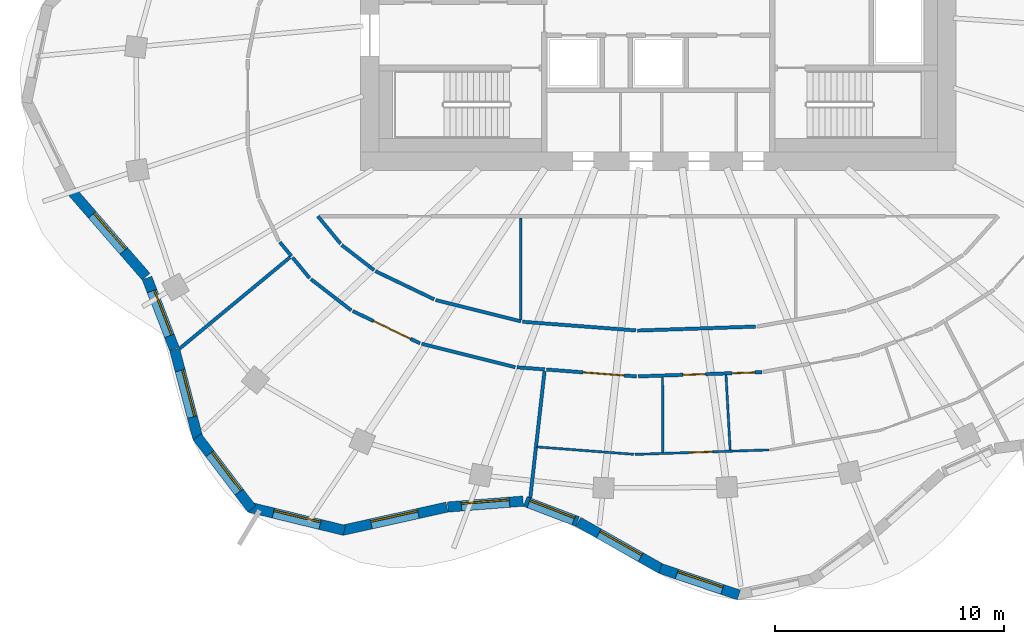
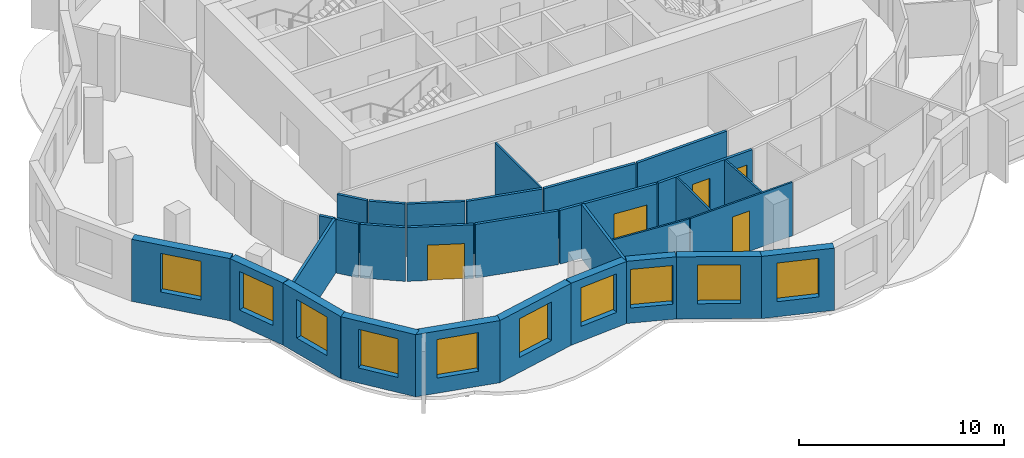
# One storey, part 3 of 9: 31 walls, 10 windows, 5 doors, 15 openings.
"""IFC4 building model written with IfcOpenShell, lengths in metres."""

import ifcopenshell
import ifcopenshell.guid

model = None  # the IFC model being written
_history = None  # IfcOwnerHistory: only IFC2X3 demands one
_inside = {}  # id of a spatial element -> (the spatial element, [elements in it])
_under = {}  # id of a project, library or spatial element -> (it, [spatial elements below it])
_declared = {}  # id of a project -> (the project, [libraries it declares])
_typed = {}  # id of a type object -> (the type object, [elements of that type])
_made_of = {}  # id of a material, layer set ... -> (it, [elements and type objects made of it])


def new_model(schema):
    """Start an empty IFC model of exactly this schema.

    Asked for "IFC4X3", IfcOpenShell would pick the latest addendum, in which some entities
    have other attributes; the version numbers below select the first issue.
    IFC2X3 requires an IfcOwnerHistory on every rooted entity: one is made here for all.
    """
    global model, _history
    if schema == "IFC4X3":
        model = ifcopenshell.file(schema_version=(4, 3, 0, 0))
    else:
        model = ifcopenshell.file(schema=schema)
    _inside.clear()
    _under.clear()
    _declared.clear()
    _typed.clear()
    _made_of.clear()
    _history = None
    if model.schema == "IFC2X3":
        org = make("IfcOrganization", Name="unknown")
        user = make(
            "IfcPersonAndOrganization",
            ThePerson=make("IfcPerson", FamilyName="unknown"),
            TheOrganization=org,
        )
        app = make(
            "IfcApplication",
            ApplicationDeveloper=org,
            Version="unknown",
            ApplicationFullName="unknown",
            ApplicationIdentifier="unknown",
        )
        _history = make(
            "IfcOwnerHistory",
            OwningUser=user,
            OwningApplication=app,
            ChangeAction="ADDED",
            CreationDate=0,
        )
    return model


def make(cls, **values):
    """One entity of the class cls with the attributes given. An attribute that is None is left unset."""
    return model.create_entity(
        cls, **{name: value for name, value in values.items() if value is not None}
    )


def rooted(cls, **values):
    """An entity with a GlobalId (a new one), such as an element, a storey or a relation."""
    return make(cls, GlobalId=ifcopenshell.guid.new(), OwnerHistory=_history, **values)


def si_unit(unit_type, name, prefix=None):
    """IfcSIUnit, for example si_unit("LENGTHUNIT", "METRE", prefix="MILLI")."""
    return make("IfcSIUnit", UnitType=unit_type, Prefix=prefix, Name=name)


def assignment(units):
    """IfcUnitAssignment: the units of a project."""
    return None if units is None else make("IfcUnitAssignment", Units=units)


def point(xyz):
    """IfcCartesianPoint."""
    return None if xyz is None else make("IfcCartesianPoint", Coordinates=xyz)


def direction(xyz):
    """IfcDirection."""
    return None if xyz is None else make("IfcDirection", DirectionRatios=xyz)


def frame(location, z_axis=None, x_axis=None):
    """IfcAxis2Placement3D, a coordinate frame: its origin and axes. An axis left out is left unset."""
    return make(
        "IfcAxis2Placement3D",
        Location=point(location),
        Axis=direction(z_axis),
        RefDirection=direction(x_axis),
    )


def frame_2d(location, x_axis=None):
    """IfcAxis2Placement2D, a coordinate frame in the plane: its origin and x axis."""
    return make(
        "IfcAxis2Placement2D", Location=point(location), RefDirection=direction(x_axis)
    )


def origin():
    """The frame at (0, 0, 0) with its axes left unset."""
    return frame((0.0, 0.0, 0.0))


def place(relative_to, where):
    """IfcLocalPlacement: puts the frame where relative to a parent placement (None: the world)."""
    return make(
        "IfcLocalPlacement", PlacementRelTo=relative_to, RelativePlacement=where
    )


def context(
    kind, dimensions, precision=None, world=None, true_north=None, identifier=None
):
    """IfcGeometricRepresentationContext, for example the 3D "Model" context."""
    return make(
        "IfcGeometricRepresentationContext",
        ContextIdentifier=identifier,
        ContextType=kind,
        CoordinateSpaceDimension=dimensions,
        Precision=precision,
        WorldCoordinateSystem=world,
        TrueNorth=true_north,
    )


def subcontext(parent, identifier, kind, view, scale=None):
    """IfcGeometricRepresentationSubContext, for example "Body" below "Model"."""
    return make(
        "IfcGeometricRepresentationSubContext",
        ContextIdentifier=identifier,
        ContextType=kind,
        ParentContext=parent,
        TargetScale=scale,
        TargetView=view,
    )


def project(units=None, contexts=None):
    """IfcProject with its units and contexts."""
    return rooted(
        "IfcProject",
        Name="project",
        RepresentationContexts=contexts,
        UnitsInContext=assignment(units),
    )


def spatial(cls, under=None, at=None, **own):
    """A site, building, storey or space (cls), placed at a placement, below another one or the project."""
    s = rooted(cls, ObjectPlacement=at, **own)
    if under is not None:
        _under.setdefault(under.id(), (under, []))[1].append(s)
    return s


def profile(cls, at=None, kind="AREA", **sizes):
    """A parametric profile (cls). Its sizes go by their IFC names, for example OverallWidth=200.0."""
    return make(cls, ProfileType=kind, Position=at, **sizes)


def rectangle(**sizes):
    """IfcRectangleProfileDef."""
    return profile("IfcRectangleProfileDef", **sizes)


def extrude(swept, where, along, depth):
    """IfcExtrudedAreaSolid: the profile swept, set in the frame where, extruded along a direction by depth."""
    return make(
        "IfcExtrudedAreaSolid",
        SweptArea=swept,
        Position=where,
        ExtrudedDirection=direction(along),
        Depth=depth,
    )


def shape(context_of_items, identifier, shape_type, items):
    """IfcShapeRepresentation: the items that make up one representation, for example the "Body"."""
    return make(
        "IfcShapeRepresentation",
        ContextOfItems=context_of_items,
        RepresentationIdentifier=identifier,
        RepresentationType=shape_type,
        Items=items,
    )


def material(Name=None, Category=None):
    """IfcMaterial."""
    return make("IfcMaterial", Name=Name, Category=Category)


def layer(
    of_material, thickness, ventilated=None, Name=None, Category=None, Priority=None
):
    """IfcMaterialLayer: one layer of a wall or slab, of a material (None: an air gap)."""
    return make(
        "IfcMaterialLayer",
        Material=of_material,
        LayerThickness=thickness,
        IsVentilated=ventilated,
        Name=Name,
        Category=Category,
        Priority=Priority,
    )


def layer_set(layers, Name=None):
    """IfcMaterialLayerSet."""
    return make("IfcMaterialLayerSet", MaterialLayers=layers, LayerSetName=Name)


def made_of(thing, what):
    """Note that an element or type object is made of a material, layer set ...; save() writes the relation."""
    if what is not None:
        _made_of.setdefault(what.id(), (what, []))[1].append(thing)
    return thing


def type_object(cls, material=None, **own):
    """A type object (cls), such as IfcWallType, which elements share."""
    return made_of(rooted(cls, **own), material)


def element(
    cls,
    number,
    at=None,
    inside=None,
    cuts=None,
    type_object=None,
    material=None,
    context=None,
    identifier="Body",
    shape_type=None,
    held_by="IfcProductDefinitionShape",
    body=None,
    shapes=None,
    **own,
):
    """One element of the class cls, such as IfcWall. Its Tag is "e" and its number.

    at: its placement. inside: the storey or other place that contains it. cuts: it is an
    opening in that element (IfcRelVoidsElement). A single representation is given by context,
    identifier, shape_type and body (its items); several are given by shapes. held_by: the class
    of the entity that holds the representations. save() writes the other relations.
    """
    e = rooted(cls, Tag="e%d" % number, ObjectPlacement=at, **own)
    if body is not None:
        shapes = [shape(context, identifier, shape_type, body)]
    if shapes is not None:
        e.Representation = make(held_by, Representations=shapes)
    if inside is not None:
        _inside.setdefault(inside.id(), (inside, []))[1].append(e)
    if cuts is not None:
        rooted(
            "IfcRelVoidsElement", RelatingBuildingElement=cuts, RelatedOpeningElement=e
        )
    if type_object is not None:
        _typed.setdefault(type_object.id(), (type_object, []))[1].append(e)
    return made_of(e, material)


def fill(opening, filler):
    """IfcRelFillsElement: the door or window that sits in an opening."""
    return rooted(
        "IfcRelFillsElement",
        RelatingOpeningElement=opening,
        RelatedBuildingElement=filler,
    )


def aggregate(whole, parts):
    """IfcRelAggregates: a whole, such as a stair, and the parts it consists of."""
    return rooted("IfcRelAggregates", RelatingObject=whole, RelatedObjects=parts)


def save(model, path):
    """Write the relations noted so far, then the file.

    IfcRelAggregates (storeys below a building ...), IfcRelContainedInSpatialStructure (elements
    in a storey), IfcRelDefinesByType, IfcRelAssociatesMaterial and IfcRelDeclares: one each for
    every whole, place, type object, material and project.
    """
    for whole, parts in _under.values():
        aggregate(whole, parts)
    for where, things in _inside.values():
        rooted(
            "IfcRelContainedInSpatialStructure",
            RelatedElements=things,
            RelatingStructure=where,
        )
    for kind, things in _typed.values():
        rooted("IfcRelDefinesByType", RelatedObjects=things, RelatingType=kind)
    for what, things in _made_of.values():
        rooted("IfcRelAssociatesMaterial", RelatedObjects=things, RelatingMaterial=what)
    for by, libraries in _declared.values():
        rooted("IfcRelDeclares", RelatingContext=by, RelatedDefinitions=libraries)
    model.write(path)


model = new_model("IFC4")

# Units and contexts
model_context = context("Model", 3, precision=1e-05, world=origin(), true_north=direction((0.0, 1.0)))
body_context = subcontext(model_context, "Body", "Model", "MODEL_VIEW")
ifc_project = project(units=[si_unit("LENGTHUNIT", "METRE"), si_unit("AREAUNIT", "SQUARE_METRE"), si_unit("VOLUMEUNIT", "CUBIC_METRE"), si_unit("PLANEANGLEUNIT", "RADIAN"), si_unit("MASSUNIT", "GRAM", prefix="KILO")], contexts=[model_context])

# Site, building, storey
site_placement = place(None, origin())
site = spatial("IfcSite", under=ifc_project, at=site_placement, CompositionType="ELEMENT")
building_placement = place(site_placement, origin())
building = spatial("IfcBuilding", under=site, at=building_placement, Name="Rubra Terraces Tower", CompositionType="ELEMENT")
storey_placement = place(building_placement, frame((0.0, 0.0, 284.39990234375)))
storey = spatial("IfcBuildingStorey", under=building, at=storey_placement, Name="L70", CompositionType="ELEMENT", Elevation=284.39990234375)

# Wall, opening, window
ifc_material_1 = material(Name="Brick masonry red-brown", Category="masonry")
ifc_layer_1 = layer(ifc_material_1, 0.449951171875)
ifc_layer_set_1 = layer_set([ifc_layer_1], Name="Brick masonry red-brown")
wall_type_1 = type_object("IfcWallType", Name="Brick facade wall 450", PredefinedType="SOLIDWALL", material=ifc_layer_set_1)
wall_1_placement = place(storey_placement, frame((-25.690673828125, -3.815185546875, 0.0), z_axis=(0.0, 0.0, 1.0), x_axis=(0.656552883353, -0.754279995334, 0.0)))
wall_1 = element("IfcWall", 1, at=wall_1_placement, inside=storey, type_object=wall_type_1, Name="Facade wall L70 bay 22", PredefinedType="SOLIDWALL", context=body_context, shape_type="SweptSolid", body=[
    extrude(rectangle(XDim=5.0712890625, YDim=0.449951171875, at=frame_2d((2.53564453125, 0.0))), origin(), (0.0, 0.0, 1.0), 3.7001953125),
])
opening_1_placement = place(wall_1_placement, frame((1.485595703125, 0.0, 0.89990234375)))
opening_1 = element("IfcOpeningElement", 2, at=opening_1_placement, cuts=wall_1, Name="Opening W1B", PredefinedType="OPENING", context=body_context, shape_type="SweptSolid", body=[
    extrude(rectangle(XDim=2.10009765625, YDim=2.300048828125, at=frame_2d((1.050048828125, 1.14990234375))), frame((0.0, 0.23486328125, 0.0), z_axis=(0.0, -1.0, 0.0), x_axis=(1.0, 0.0, 0.0)), (0.0, 0.0, 1.0), 0.469970703125),
])
ifc_material_2 = material(Name="Clear glass in aluminium frame", Category="aluminium")
window_type = type_object("IfcWindowType", Name="Fixed deep-set window tall storey 2100 x 2300", PartitioningType="SINGLE_PANEL", PredefinedType="WINDOW", material=ifc_material_2)
window_1_placement = place(opening_1_placement, origin())
window_1 = element("IfcWindow", 3, at=window_1_placement, inside=storey, type_object=window_type, Name="Window L70 bay 22", OverallHeight=2.300048828125, OverallWidth=2.10009765625, PartitioningType="SINGLE_PANEL", PredefinedType="WINDOW", context=body_context, shape_type="SweptSolid", body=[
    extrude(rectangle(XDim=2.10009765625, YDim=2.300048828125, at=frame_2d((1.050048828125, 1.14990234375))), frame((0.0, 0.135009765625, 0.0), z_axis=(0.0, -1.0, 0.0), x_axis=(1.0, 0.0, 0.0)), (0.0, 0.0, 1.0), 0.06005859375),
])
fill(opening_1, window_1)

wall_2_placement = place(storey_placement, frame((-22.323486328125, -7.70068359375, 0.0), z_axis=(0.0, 0.0, 1.0), x_axis=(0.361550075906, -0.932352692178, 0.0)))
wall_2 = element("IfcWall", 4, at=wall_2_placement, inside=storey, type_object=wall_type_1, Name="Facade wall L70 bay 23", PredefinedType="SOLIDWALL", context=body_context, shape_type="SweptSolid", body=[
    extrude(rectangle(XDim=3.3134765625, YDim=0.449951171875, at=frame_2d((1.65673828125, 0.0))), origin(), (0.0, 0.0, 1.0), 3.7001953125),
])
opening_2_placement = place(wall_2_placement, frame((0.606689453125, 0.0, 0.89990234375)))
opening_2 = element("IfcOpeningElement", 5, at=opening_2_placement, cuts=wall_2, Name="Opening W1B", PredefinedType="OPENING", context=body_context, shape_type="SweptSolid", body=[
    extrude(rectangle(XDim=2.10009765625, YDim=2.300048828125, at=frame_2d((1.050048828125, 1.14990234375))), frame((0.0, 0.23486328125, 0.0), z_axis=(0.0, -1.0, 0.0), x_axis=(1.0, 0.0, 0.0)), (0.0, 0.0, 1.0), 0.469970703125),
])
window_2_placement = place(opening_2_placement, origin())
window_2 = element("IfcWindow", 6, at=window_2_placement, inside=storey, type_object=window_type, Name="Window L70 bay 23", OverallHeight=2.300048828125, OverallWidth=2.10009765625, PartitioningType="SINGLE_PANEL", PredefinedType="WINDOW", context=body_context, shape_type="SweptSolid", body=[
    extrude(rectangle(XDim=2.10009765625, YDim=2.300048828125, at=frame_2d((1.050048828125, 1.14990234375))), frame((0.0, 0.135009765625, 0.0), z_axis=(0.0, -1.0, 0.0), x_axis=(1.0, 0.0, 0.0)), (0.0, 0.0, 1.0), 0.06005859375),
])
fill(opening_2, window_2)

wall_3_placement = place(storey_placement, frame((-21.11669921875, -10.8154296875, 0.0), z_axis=(0.0, 0.0, 1.0), x_axis=(0.253065392985, -0.967449175344, 0.0)))
wall_3 = element("IfcWall", 7, at=wall_3_placement, inside=storey, type_object=wall_type_1, Name="Facade wall L70 bay 24", PredefinedType="SOLIDWALL", context=body_context, shape_type="SweptSolid", body=[
    extrude(rectangle(XDim=4.01513671875, YDim=0.449951171875, at=frame_2d((2.007568359375, 0.0))), origin(), (0.0, 0.0, 1.0), 3.7001953125),
])
opening_3_placement = place(wall_3_placement, frame((0.95751953125, 0.0, 0.89990234375)))
opening_3 = element("IfcOpeningElement", 8, at=opening_3_placement, cuts=wall_3, Name="Opening W1B", PredefinedType="OPENING", context=body_context, shape_type="SweptSolid", body=[
    extrude(rectangle(XDim=2.10009765625, YDim=2.300048828125, at=frame_2d((1.050048828125, 1.14990234375))), frame((0.0, 0.23486328125, 0.0), z_axis=(0.0, -1.0, 0.0), x_axis=(1.0, 0.0, 0.0)), (0.0, 0.0, 1.0), 0.469970703125),
])
window_3_placement = place(opening_3_placement, origin())
window_3 = element("IfcWindow", 9, at=window_3_placement, inside=storey, type_object=window_type, Name="Window L70 bay 24", OverallHeight=2.300048828125, OverallWidth=2.10009765625, PartitioningType="SINGLE_PANEL", PredefinedType="WINDOW", context=body_context, shape_type="SweptSolid", body=[
    extrude(rectangle(XDim=2.10009765625, YDim=2.300048828125, at=frame_2d((1.050048828125, 1.14990234375))), frame((0.0, 0.135009765625, 0.0), z_axis=(0.0, -1.0, 0.0), x_axis=(1.0, 0.0, 0.0)), (0.0, 0.0, 1.0), 0.06005859375),
])
fill(opening_3, window_3)

wall_4_placement = place(storey_placement, frame((-20.1376953125, -14.6259765625, 0.0), z_axis=(0.0, 0.0, 1.0), x_axis=(0.604591324894, -0.796535830872, 0.0)))
wall_4 = element("IfcWall", 10, at=wall_4_placement, inside=storey, type_object=wall_type_1, Name="Facade wall L70 bay 25", PredefinedType="SOLIDWALL", context=body_context, shape_type="SweptSolid", body=[
    extrude(rectangle(XDim=3.964599609375, YDim=0.449951171875, at=frame_2d((1.982421875, 0.0))), origin(), (0.0, 0.0, 1.0), 3.7001953125),
])
opening_4_placement = place(wall_4_placement, frame((0.932373046875, 0.0, 0.89990234375)))
opening_4 = element("IfcOpeningElement", 11, at=opening_4_placement, cuts=wall_4, Name="Opening W1B", PredefinedType="OPENING", context=body_context, shape_type="SweptSolid", body=[
    extrude(rectangle(XDim=2.10009765625, YDim=2.300048828125, at=frame_2d((1.050048828125, 1.14990234375))), frame((0.0, 0.23486328125, 0.0), z_axis=(0.0, -1.0, 0.0), x_axis=(1.0, 0.0, 0.0)), (0.0, 0.0, 1.0), 0.469970703125),
])
window_4_placement = place(opening_4_placement, origin())
window_4 = element("IfcWindow", 12, at=window_4_placement, inside=storey, type_object=window_type, Name="Window L70 bay 25", OverallHeight=2.300048828125, OverallWidth=2.10009765625, PartitioningType="SINGLE_PANEL", PredefinedType="WINDOW", context=body_context, shape_type="SweptSolid", body=[
    extrude(rectangle(XDim=2.10009765625, YDim=2.300048828125, at=frame_2d((1.050048828125, 1.14990234375))), frame((0.0, 0.135009765625, 0.0), z_axis=(0.0, -1.0, 0.0), x_axis=(1.0, 0.0, 0.0)), (0.0, 0.0, 1.0), 0.06005859375),
])
fill(opening_4, window_4)

wall_5_placement = place(storey_placement, frame((-17.86669921875, -17.701416015625, 0.0), z_axis=(0.0, 0.0, 1.0), x_axis=(0.971546885012, -0.236847314156, 0.0)))
wall_5 = element("IfcWall", 13, at=wall_5_placement, inside=storey, type_object=wall_type_1, Name="Facade wall L70 bay 26", PredefinedType="SOLIDWALL", context=body_context, shape_type="SweptSolid", body=[
    extrude(rectangle(XDim=4.284912109375, YDim=0.449951171875, at=frame_2d((2.142578125, 0.0))), origin(), (0.0, 0.0, 1.0), 3.7001953125),
])
opening_5_placement = place(wall_5_placement, frame((1.092529296875, 0.0, 0.89990234375)))
opening_5 = element("IfcOpeningElement", 14, at=opening_5_placement, cuts=wall_5, Name="Opening W1B", PredefinedType="OPENING", context=body_context, shape_type="SweptSolid", body=[
    extrude(rectangle(XDim=2.10009765625, YDim=2.300048828125, at=frame_2d((1.050048828125, 1.14990234375))), frame((0.0, 0.23486328125, 0.0), z_axis=(0.0, -1.0, 0.0), x_axis=(1.0, 0.0, 0.0)), (0.0, 0.0, 1.0), 0.469970703125),
])
window_5_placement = place(opening_5_placement, origin())
window_5 = element("IfcWindow", 15, at=window_5_placement, inside=storey, type_object=window_type, Name="Window L70 bay 26", OverallHeight=2.300048828125, OverallWidth=2.10009765625, PartitioningType="SINGLE_PANEL", PredefinedType="WINDOW", context=body_context, shape_type="SweptSolid", body=[
    extrude(rectangle(XDim=2.10009765625, YDim=2.300048828125, at=frame_2d((1.050048828125, 1.14990234375))), frame((0.0, 0.135009765625, 0.0), z_axis=(0.0, -1.0, 0.0), x_axis=(1.0, 0.0, 0.0)), (0.0, 0.0, 1.0), 0.06005859375),
])
fill(opening_5, window_5)

wall_6_placement = place(storey_placement, frame((-13.802001953125, -18.714599609375, 0.0), z_axis=(0.0, 0.0, 1.0), x_axis=(0.976380129166, 0.216059814331, 0.0)))
wall_6 = element("IfcWall", 16, at=wall_6_placement, inside=storey, type_object=wall_type_1, Name="Facade wall L70 bay 27", PredefinedType="SOLIDWALL", context=body_context, shape_type="SweptSolid", body=[
    extrude(rectangle(XDim=4.691650390625, YDim=0.449951171875, at=frame_2d((2.345703125, 0.0))), origin(), (0.0, 0.0, 1.0), 3.7001953125),
])
opening_6_placement = place(wall_6_placement, frame((1.295654296875, 0.0, 0.89990234375)))
opening_6 = element("IfcOpeningElement", 17, at=opening_6_placement, cuts=wall_6, Name="Opening W1B", PredefinedType="OPENING", context=body_context, shape_type="SweptSolid", body=[
    extrude(rectangle(XDim=2.10009765625, YDim=2.300048828125, at=frame_2d((1.050048828125, 1.14990234375))), frame((0.0, 0.23486328125, 0.0), z_axis=(0.0, -1.0, 0.0), x_axis=(1.0, 0.0, 0.0)), (0.0, 0.0, 1.0), 0.469970703125),
])
window_6_placement = place(opening_6_placement, origin())
window_6 = element("IfcWindow", 18, at=window_6_placement, inside=storey, type_object=window_type, Name="Window L70 bay 27", OverallHeight=2.300048828125, OverallWidth=2.10009765625, PartitioningType="SINGLE_PANEL", PredefinedType="WINDOW", context=body_context, shape_type="SweptSolid", body=[
    extrude(rectangle(XDim=2.10009765625, YDim=2.300048828125, at=frame_2d((1.050048828125, 1.14990234375))), frame((0.0, 0.135009765625, 0.0), z_axis=(0.0, -1.0, 0.0), x_axis=(1.0, 0.0, 0.0)), (0.0, 0.0, 1.0), 0.06005859375),
])
fill(opening_6, window_6)

wall_7_placement = place(storey_placement, frame((-9.188232421875, -17.69677734375, 0.0), z_axis=(0.0, 0.0, 1.0), x_axis=(0.996964028691, 0.077863505548, 0.0)))
wall_7 = element("IfcWall", 19, at=wall_7_placement, inside=storey, type_object=wall_type_1, Name="Facade wall L70 bay 28", PredefinedType="SOLIDWALL", context=body_context, shape_type="SweptSolid", body=[
    extrude(rectangle(XDim=3.29541015625, YDim=0.449951171875, at=frame_2d((1.647705078125, 0.0))), origin(), (0.0, 0.0, 1.0), 3.7001953125),
])
opening_7_placement = place(wall_7_placement, frame((0.59765625, 0.0, 0.89990234375)))
opening_7 = element("IfcOpeningElement", 20, at=opening_7_placement, cuts=wall_7, Name="Opening W1B", PredefinedType="OPENING", context=body_context, shape_type="SweptSolid", body=[
    extrude(rectangle(XDim=2.10009765625, YDim=2.300048828125, at=frame_2d((1.050048828125, 1.14990234375))), frame((0.0, 0.23486328125, 0.0), z_axis=(0.0, -1.0, 0.0), x_axis=(1.0, 0.0, 0.0)), (0.0, 0.0, 1.0), 0.469970703125),
])
window_7_placement = place(opening_7_placement, origin())
window_7 = element("IfcWindow", 21, at=window_7_placement, inside=storey, type_object=window_type, Name="Window L70 bay 28", OverallHeight=2.300048828125, OverallWidth=2.10009765625, PartitioningType="SINGLE_PANEL", PredefinedType="WINDOW", context=body_context, shape_type="SweptSolid", body=[
    extrude(rectangle(XDim=2.10009765625, YDim=2.300048828125, at=frame_2d((1.050048828125, 1.14990234375))), frame((0.0, 0.135009765625, 0.0), z_axis=(0.0, -1.0, 0.0), x_axis=(1.0, 0.0, 0.0)), (0.0, 0.0, 1.0), 0.06005859375),
])
fill(opening_7, window_7)

wall_8_placement = place(storey_placement, frame((-5.810546875, -17.45458984375, 0.0), z_axis=(0.0, 0.0, 1.0), x_axis=(0.934122271306, -0.35695319336, 0.0)))
wall_8 = element("IfcWall", 22, at=wall_8_placement, inside=storey, type_object=wall_type_1, Name="Facade wall L70 bay 29", PredefinedType="SOLIDWALL", context=body_context, shape_type="SweptSolid", body=[
    extrude(rectangle(XDim=2.447998046875, YDim=0.449951171875, at=frame_2d((1.22412109375, 0.0))), origin(), (0.0, 0.0, 1.0), 3.7001953125),
])
opening_8_placement = place(wall_8_placement, frame((0.174072265625, 0.0, 0.89990234375)))
opening_8 = element("IfcOpeningElement", 23, at=opening_8_placement, cuts=wall_8, Name="Opening W1B", PredefinedType="OPENING", context=body_context, shape_type="SweptSolid", body=[
    extrude(rectangle(XDim=2.10009765625, YDim=2.300048828125, at=frame_2d((1.050048828125, 1.14990234375))), frame((0.0, 0.23486328125, 0.0), z_axis=(0.0, -1.0, 0.0), x_axis=(1.0, 0.0, 0.0)), (0.0, 0.0, 1.0), 0.469970703125),
])
window_8_placement = place(opening_8_placement, origin())
window_8 = element("IfcWindow", 24, at=window_8_placement, inside=storey, type_object=window_type, Name="Window L70 bay 29", OverallHeight=2.300048828125, OverallWidth=2.10009765625, PartitioningType="SINGLE_PANEL", PredefinedType="WINDOW", context=body_context, shape_type="SweptSolid", body=[
    extrude(rectangle(XDim=2.10009765625, YDim=2.300048828125, at=frame_2d((1.050048828125, 1.14990234375))), frame((0.0, 0.135009765625, 0.0), z_axis=(0.0, -1.0, 0.0), x_axis=(1.0, 0.0, 0.0)), (0.0, 0.0, 1.0), 0.06005859375),
])
fill(opening_8, window_8)

wall_9_placement = place(storey_placement, frame((-3.4931640625, -18.3427734375, 0.0), z_axis=(0.0, 0.0, 1.0), x_axis=(0.869825988853, -0.493358641473, 0.0)))
wall_9 = element("IfcWall", 25, at=wall_9_placement, inside=storey, type_object=wall_type_1, Name="Facade wall L70 bay 30", PredefinedType="SOLIDWALL", context=body_context, shape_type="SweptSolid", body=[
    extrude(rectangle(XDim=4.164794921875, YDim=0.449951171875, at=frame_2d((2.08251953125, 0.0))), origin(), (0.0, 0.0, 1.0), 3.7001953125),
])
opening_9_placement = place(wall_9_placement, frame((1.032470703125, 0.0, 0.89990234375)))
opening_9 = element("IfcOpeningElement", 26, at=opening_9_placement, cuts=wall_9, Name="Opening W1B", PredefinedType="OPENING", context=body_context, shape_type="SweptSolid", body=[
    extrude(rectangle(XDim=2.10009765625, YDim=2.300048828125, at=frame_2d((1.050048828125, 1.14990234375))), frame((0.0, 0.23486328125, 0.0), z_axis=(0.0, -1.0, 0.0), x_axis=(1.0, 0.0, 0.0)), (0.0, 0.0, 1.0), 0.469970703125),
])
window_9_placement = place(opening_9_placement, origin())
window_9 = element("IfcWindow", 27, at=window_9_placement, inside=storey, type_object=window_type, Name="Window L70 bay 30", OverallHeight=2.300048828125, OverallWidth=2.10009765625, PartitioningType="SINGLE_PANEL", PredefinedType="WINDOW", context=body_context, shape_type="SweptSolid", body=[
    extrude(rectangle(XDim=2.10009765625, YDim=2.300048828125, at=frame_2d((1.050048828125, 1.14990234375))), frame((0.0, 0.135009765625, 0.0), z_axis=(0.0, -1.0, 0.0), x_axis=(1.0, 0.0, 0.0)), (0.0, 0.0, 1.0), 0.06005859375),
])
fill(opening_9, window_9)

wall_10_placement = place(storey_placement, frame((0.090576171875, -20.380126953125, 0.0), z_axis=(0.0, 0.0, 1.0), x_axis=(0.947304227221, -0.320335294791, 0.0)))
wall_10 = element("IfcWall", 28, at=wall_10_placement, inside=storey, type_object=wall_type_1, Name="Facade wall L70 bay 31", PredefinedType="SOLIDWALL", context=body_context, shape_type="SweptSolid", body=[
    extrude(rectangle(XDim=3.6171875, YDim=0.449951171875, at=frame_2d((1.80859375, 0.0))), origin(), (0.0, 0.0, 1.0), 3.7001953125),
])
opening_10_placement = place(wall_10_placement, frame((0.758544921875, 0.0, 0.89990234375)))
opening_10 = element("IfcOpeningElement", 29, at=opening_10_placement, cuts=wall_10, Name="Opening W1B", PredefinedType="OPENING", context=body_context, shape_type="SweptSolid", body=[
    extrude(rectangle(XDim=2.10009765625, YDim=2.300048828125, at=frame_2d((1.050048828125, 1.14990234375))), frame((0.0, 0.23486328125, 0.0), z_axis=(0.0, -1.0, 0.0), x_axis=(1.0, 0.0, 0.0)), (0.0, 0.0, 1.0), 0.469970703125),
])
window_10_placement = place(opening_10_placement, origin())
window_10 = element("IfcWindow", 30, at=window_10_placement, inside=storey, type_object=window_type, Name="Window L70 bay 31", OverallHeight=2.300048828125, OverallWidth=2.10009765625, PartitioningType="SINGLE_PANEL", PredefinedType="WINDOW", context=body_context, shape_type="SweptSolid", body=[
    extrude(rectangle(XDim=2.10009765625, YDim=2.300048828125, at=frame_2d((1.050048828125, 1.14990234375))), frame((0.0, 0.135009765625, 0.0), z_axis=(0.0, -1.0, 0.0), x_axis=(1.0, 0.0, 0.0)), (0.0, 0.0, 1.0), 0.06005859375),
])
fill(opening_10, window_10)

# Walls
ifc_material_3 = material(Name="Plasterboard on steel stud, mineral wool infill", Category="steel")
ifc_layer_2 = layer(ifc_material_3, 0.14990234375)
ifc_layer_set_2 = layer_set([ifc_layer_2], Name="Plasterboard on steel stud, mineral wool infill")
wall_type_2 = type_object("IfcWallType", Name="CORRIDOR PARTITION 150", PredefinedType="PARTITIONING", material=ifc_layer_set_2)
wall_11_placement = place(storey_placement, frame((-16.523193359375, -6.131591796875, 0.0), z_axis=(0.0, 0.0, 1.0), x_axis=(0.636698606768, -0.771112757085, 0.0)))
element("IfcWall", 31, at=wall_11_placement, inside=storey, type_object=wall_type_2, Name="PARTITION", PredefinedType="PARTITIONING", context=body_context, shape_type="SweptSolid", body=[
    extrude(rectangle(XDim=0.793701171875, YDim=0.14990234375, at=frame_2d((0.39697265625, 0.0))), origin(), (0.0, 0.0, 1.0), 3.197998046875),
])
wall_12_placement = place(storey_placement, frame((-15.97021484375, -6.801513671875, 0.0), z_axis=(0.0, 0.0, 1.0), x_axis=(0.636897609689, -0.770948399552, 0.0)))
element("IfcWall", 32, at=wall_12_placement, inside=storey, type_object=wall_type_2, Name="PARTITION", PredefinedType="PARTITIONING", context=body_context, shape_type="SweptSolid", body=[
    extrude(rectangle(XDim=1.171142578125, YDim=0.14990234375, at=frame_2d((0.58544921875, 0.0))), origin(), (0.0, 0.0, 1.0), 3.197998046875),
])
wall_13_placement = place(storey_placement, frame((-15.1650390625, -7.750244140625, 0.0), z_axis=(0.0, 0.0, 1.0), x_axis=(0.790917548929, -0.611922732701, 0.0)))
element("IfcWall", 33, at=wall_13_placement, inside=storey, type_object=wall_type_2, Name="PARTITION", PredefinedType="PARTITIONING", context=body_context, shape_type="SweptSolid", body=[
    extrude(rectangle(XDim=2.221923828125, YDim=0.14990234375, at=frame_2d((1.11083984375, 0.0))), origin(), (0.0, 0.0, 1.0), 3.197998046875),
])

# Wall, opening, door
wall_14_placement = place(storey_placement, frame((-13.340087890625, -9.142333984375, 0.0), z_axis=(0.0, 0.0, 1.0), x_axis=(0.901599124721, -0.432572558425, 0.0)))
wall_14 = element("IfcWall", 34, at=wall_14_placement, inside=storey, type_object=wall_type_2, Name="PARTITION", PredefinedType="PARTITIONING", context=body_context, shape_type="SweptSolid", body=[
    extrude(rectangle(XDim=3.2548828125, YDim=0.14990234375, at=frame_2d((1.62744140625, 0.0))), origin(), (0.0, 0.0, 1.0), 3.197998046875),
])
opening_11_placement = place(wall_14_placement, frame((1.0, 0.0, 0.0)))
opening_11 = element("IfcOpeningElement", 35, at=opening_11_placement, cuts=wall_14, Name="Opening 70-102", PredefinedType="OPENING", context=body_context, shape_type="SweptSolid", body=[
    extrude(rectangle(XDim=1.800048828125, YDim=2.10009765625, at=frame_2d((0.89990234375, 1.050048828125))), frame((0.0, 0.0849609375, 0.0), z_axis=(0.0, -1.0, 0.0), x_axis=(1.0, 0.0, 0.0)), (0.0, 0.0, 1.0), 0.169921875),
])
ifc_material_4 = material(Name="Painted timber door leaf, double", Category="wood")
door_type_1 = type_object("IfcDoorType", Name="ROOM DOUBLE DOOR 1800 X 2100", OperationType="DOUBLE_DOOR_SINGLE_SWING", PredefinedType="DOOR", material=ifc_material_4)
door_1_placement = place(opening_11_placement, origin())
door_1 = element("IfcDoor", 36, at=door_1_placement, inside=storey, type_object=door_type_1, Name="DOOR 70-102", OperationType="DOUBLE_DOOR_SINGLE_SWING", OverallHeight=2.10009765625, OverallWidth=1.800048828125, PredefinedType="DOOR", context=body_context, shape_type="SweptSolid", body=[
    extrude(rectangle(XDim=1.800048828125, YDim=2.10009765625, at=frame_2d((0.89990234375, 1.050048828125))), frame((0.0, 0.02490234375, 0.0), z_axis=(0.0, -1.0, 0.0), x_axis=(1.0, 0.0, 0.0)), (0.0, 0.0, 1.0), 0.050048828125),
])
fill(opening_11, door_1)

# Walls
wall_15_placement = place(storey_placement, frame((-10.332763671875, -10.568603515625, 0.0), z_axis=(0.0, 0.0, 1.0), x_axis=(0.970067398009, -0.242835836151, 0.0)))
element("IfcWall", 37, at=wall_15_placement, inside=storey, type_object=wall_type_2, Name="PARTITION", PredefinedType="PARTITIONING", context=body_context, shape_type="SweptSolid", body=[
    extrude(rectangle(XDim=4.20947265625, YDim=0.14990234375, at=frame_2d((2.104736328125, 0.0))), origin(), (0.0, 0.0, 1.0), 3.197998046875),
])
wall_16_placement = place(storey_placement, frame((-6.174560546875, -11.596435546875, 0.0), z_axis=(0.0, 0.0, 1.0), x_axis=(0.997106038867, -0.076023333621, 0.0)))
element("IfcWall", 38, at=wall_16_placement, inside=storey, type_object=wall_type_2, Name="PARTITION", PredefinedType="PARTITIONING", context=body_context, shape_type="SweptSolid", body=[
    extrude(rectangle(XDim=1.22021484375, YDim=0.14990234375, at=frame_2d((0.610107421875, 0.0))), origin(), (0.0, 0.0, 1.0), 3.197998046875),
])

# Wall, opening, door
wall_17_placement = place(storey_placement, frame((-4.8828125, -11.695068359375, 0.0), z_axis=(0.0, 0.0, 1.0), x_axis=(0.997096936577, -0.076142623207, 0.0)))
wall_17 = element("IfcWall", 39, at=wall_17_placement, inside=storey, type_object=wall_type_2, Name="PARTITION", PredefinedType="PARTITIONING", context=body_context, shape_type="SweptSolid", body=[
    extrude(rectangle(XDim=3.94384765625, YDim=0.14990234375, at=frame_2d((1.971923828125, 0.0))), origin(), (0.0, 0.0, 1.0), 3.197998046875),
])
opening_12_placement = place(wall_17_placement, frame((1.60400390625, 0.0, 0.0)))
opening_12 = element("IfcOpeningElement", 40, at=opening_12_placement, cuts=wall_17, Name="Opening 70-103", PredefinedType="OPENING", context=body_context, shape_type="SweptSolid", body=[
    extrude(rectangle(XDim=1.800048828125, YDim=2.10009765625, at=frame_2d((0.89990234375, 1.050048828125))), frame((0.0, 0.0849609375, 0.0), z_axis=(0.0, -1.0, 0.0), x_axis=(1.0, 0.0, 0.0)), (0.0, 0.0, 1.0), 0.169921875),
])
door_2_placement = place(opening_12_placement, origin())
door_2 = element("IfcDoor", 41, at=door_2_placement, inside=storey, type_object=door_type_1, Name="DOOR 70-103", OperationType="DOUBLE_DOOR_SINGLE_SWING", OverallHeight=2.10009765625, OverallWidth=1.800048828125, PredefinedType="DOOR", context=body_context, shape_type="SweptSolid", body=[
    extrude(rectangle(XDim=1.800048828125, YDim=2.10009765625, at=frame_2d((0.89990234375, 1.050048828125))), frame((0.0, 0.02490234375, 0.0), z_axis=(0.0, -1.0, 0.0), x_axis=(1.0, 0.0, 0.0)), (0.0, 0.0, 1.0), 0.050048828125),
])
fill(opening_12, door_2)

# Wall, openings, doors
wall_18_placement = place(storey_placement, frame((-0.87548828125, -11.992919921875, 0.0), z_axis=(0.0, 0.0, 1.0), x_axis=(0.999436745295, 0.033558786542, 0.0)))
wall_18 = element("IfcWall", 42, at=wall_18_placement, inside=storey, type_object=wall_type_2, Name="PARTITION", PredefinedType="PARTITIONING", context=body_context, shape_type="SweptSolid", body=[
    extrude(rectangle(XDim=5.39794921875, YDim=0.14990234375, at=frame_2d((2.698974609375, 0.0))), origin(), (0.0, 0.0, 1.0), 3.197998046875),
])
opening_13_placement = place(wall_18_placement, frame((1.947021484375, 0.0, 0.0)))
opening_13 = element("IfcOpeningElement", 43, at=opening_13_placement, cuts=wall_18, Name="Opening 70-104", PredefinedType="OPENING", context=body_context, shape_type="SweptSolid", body=[
    extrude(rectangle(XDim=1.0, YDim=2.39990234375, at=frame_2d((0.5, 1.199951171875))), frame((0.0, 0.0849609375, 0.0), z_axis=(0.0, -1.0, 0.0), x_axis=(1.0, 0.0, 0.0)), (0.0, 0.0, 1.0), 0.169921875),
])
opening_14_placement = place(wall_18_placement, frame((4.097900390625, 0.0, 0.0)))
opening_14 = element("IfcOpeningElement", 44, at=opening_14_placement, cuts=wall_18, Name="Opening 70-105", PredefinedType="OPENING", context=body_context, shape_type="SweptSolid", body=[
    extrude(rectangle(XDim=1.0, YDim=2.39990234375, at=frame_2d((0.5, 1.199951171875))), frame((0.0, 0.0849609375, 0.0), z_axis=(0.0, -1.0, 0.0), x_axis=(1.0, 0.0, 0.0)), (0.0, 0.0, 1.0), 0.169921875),
])
ifc_material_5 = material(Name="Glazed aluminium meeting door leaf", Category="aluminium")
door_type_2 = type_object("IfcDoorType", Name="MEETING ROOM GLAZED DOOR 1000 X 2400", OperationType="SINGLE_SWING_LEFT", PredefinedType="DOOR", material=ifc_material_5)
door_3_placement = place(opening_13_placement, origin())
door_3 = element("IfcDoor", 45, at=door_3_placement, inside=storey, type_object=door_type_2, Name="DOOR 70-104", OperationType="SINGLE_SWING_RIGHT", OverallHeight=2.39990234375, OverallWidth=1.0, PredefinedType="DOOR", context=body_context, shape_type="SweptSolid", body=[
    extrude(rectangle(XDim=1.0, YDim=2.39990234375, at=frame_2d((0.5, 1.199951171875))), frame((0.0, 0.02490234375, 0.0), z_axis=(0.0, -1.0, 0.0), x_axis=(1.0, 0.0, 0.0)), (0.0, 0.0, 1.0), 0.050048828125),
])
fill(opening_13, door_3)
door_4_placement = place(opening_14_placement, origin())
door_4 = element("IfcDoor", 46, at=door_4_placement, inside=storey, type_object=door_type_2, Name="DOOR 70-105", OperationType="SINGLE_SWING_RIGHT", OverallHeight=2.39990234375, OverallWidth=1.0, PredefinedType="DOOR", context=body_context, shape_type="SweptSolid", body=[
    extrude(rectangle(XDim=1.0, YDim=2.39990234375, at=frame_2d((0.5, 1.199951171875))), frame((0.0, 0.02490234375, 0.0), z_axis=(0.0, -1.0, 0.0), x_axis=(1.0, 0.0, 0.0)), (0.0, 0.0, 1.0), 0.050048828125),
])
fill(opening_14, door_4)

# Walls
wall_19_placement = place(storey_placement, frame((4.235595703125, -9.820068359375, 0.0), z_axis=(0.0, 0.0, 1.0), x_axis=(-0.999435760561, -0.033588100749, 0.0)))
element("IfcWall", 47, at=wall_19_placement, inside=storey, type_object=wall_type_2, Name="PARTITION", PredefinedType="PARTITIONING", context=body_context, shape_type="SweptSolid", body=[
    extrude(rectangle(XDim=5.146240234375, YDim=0.14990234375, at=frame_2d((2.5732421875, 0.0))), origin(), (0.0, 0.0, 1.0), 3.197998046875),
])
wall_20_placement = place(storey_placement, frame((-0.982421875, -9.987060546875, 0.0), z_axis=(0.0, 0.0, 1.0), x_axis=(-0.997096607341, 0.07614693447, 0.0)))
element("IfcWall", 48, at=wall_20_placement, inside=storey, type_object=wall_type_2, Name="PARTITION", PredefinedType="PARTITIONING", context=body_context, shape_type="SweptSolid", body=[
    extrude(rectangle(XDim=4.9599609375, YDim=0.14990234375, at=frame_2d((2.47998046875, 0.0))), origin(), (0.0, 0.0, 1.0), 3.197998046875),
])
wall_21_placement = place(storey_placement, frame((-6.000732421875, -9.59130859375, 0.0), z_axis=(0.0, 0.0, 1.0), x_axis=(-0.970063855769, 0.242849986061, 0.0)))
element("IfcWall", 49, at=wall_21_placement, inside=storey, type_object=wall_type_2, Name="PARTITION", PredefinedType="PARTITIONING", context=body_context, shape_type="SweptSolid", body=[
    extrude(rectangle(XDim=3.83740234375, YDim=0.14990234375, at=frame_2d((1.918701171875, 0.0))), origin(), (0.0, 0.0, 1.0), 3.197998046875),
])
wall_22_placement = place(storey_placement, frame((-9.790771484375, -8.626953125, 0.0), z_axis=(0.0, 0.0, 1.0), x_axis=(-0.901598165215, 0.432574558292, 0.0)))
element("IfcWall", 50, at=wall_22_placement, inside=storey, type_object=wall_type_2, Name="PARTITION", PredefinedType="PARTITIONING", context=body_context, shape_type="SweptSolid", body=[
    extrude(rectangle(XDim=2.840087890625, YDim=0.14990234375, at=frame_2d((1.419921875, 0.0))), origin(), (0.0, 0.0, 1.0), 3.197998046875),
])
wall_23_placement = place(storey_placement, frame((-12.41064453125, -7.3525390625, 0.0), z_axis=(0.0, 0.0, 1.0), x_axis=(-0.790894311556, 0.611952766109, 0.0)))
element("IfcWall", 51, at=wall_23_placement, inside=storey, type_object=wall_type_2, Name="PARTITION", PredefinedType="PARTITIONING", context=body_context, shape_type="SweptSolid", body=[
    extrude(rectangle(XDim=1.787353515625, YDim=0.14990234375, at=frame_2d((0.8935546875, 0.0))), origin(), (0.0, 0.0, 1.0), 3.197998046875),
])
wall_24_placement = place(storey_placement, frame((-13.8720703125, -6.200927734375, 0.0), z_axis=(0.0, 0.0, 1.0), x_axis=(-0.636832838855, 0.771001903601, 0.0)))
element("IfcWall", 52, at=wall_24_placement, inside=storey, type_object=wall_type_2, Name="PARTITION", PredefinedType="PARTITIONING", context=body_context, shape_type="SweptSolid", body=[
    extrude(rectangle(XDim=1.5576171875, YDim=0.14990234375, at=frame_2d((0.77880859375, 0.0))), origin(), (0.0, 0.0, 1.0), 3.197998046875),
])

# Wall, opening, door
ifc_material_6 = material(Name="Plasterboard on steel stud", Category="steel")
ifc_layer_3 = layer(ifc_material_6, 0.10009765625)
ifc_layer_set_3 = layer_set([ifc_layer_3], Name="Plasterboard on steel stud")
wall_type_3 = type_object("IfcWallType", Name="ROOM PARTITION 100", PredefinedType="PARTITIONING", material=ifc_layer_set_3)
wall_25_placement = place(storey_placement, frame((4.82470703125, -15.203369140625, 0.0), z_axis=(0.0, 0.0, 1.0), x_axis=(-0.999435699456, -0.033589918924, 0.0)))
wall_25 = element("IfcWall", 53, at=wall_25_placement, inside=storey, type_object=wall_type_3, Name="PARTITION", PredefinedType="PARTITIONING", context=body_context, shape_type="SweptSolid", body=[
    extrude(rectangle(XDim=5.85107421875, YDim=0.10009765625, at=frame_2d((2.925537109375, 0.0))), origin(), (0.0, 0.0, 1.0), 3.197998046875),
])
opening_15_placement = place(wall_25_placement, frame((2.449951171875, 0.0, 0.0)))
opening_15 = element("IfcOpeningElement", 54, at=opening_15_placement, cuts=wall_25, Name="Opening 70-116", PredefinedType="OPENING", context=body_context, shape_type="SweptSolid", body=[
    extrude(rectangle(XDim=1.0, YDim=2.39990234375, at=frame_2d((0.5, 1.199951171875))), frame((0.0, 0.06005859375, 0.0), z_axis=(0.0, -1.0, 0.0), x_axis=(1.0, 0.0, 0.0)), (0.0, 0.0, 1.0), 0.1201171875),
])
door_5_placement = place(opening_15_placement, origin())
door_5 = element("IfcDoor", 55, at=door_5_placement, inside=storey, type_object=door_type_2, Name="DOOR 70-116", OperationType="SINGLE_SWING_LEFT", OverallHeight=2.39990234375, OverallWidth=1.0, PredefinedType="DOOR", context=body_context, shape_type="SweptSolid", body=[
    extrude(rectangle(XDim=1.0, YDim=2.39990234375, at=frame_2d((0.5, 1.199951171875))), frame((0.0, 0.02490234375, 0.0), z_axis=(0.0, -1.0, 0.0), x_axis=(1.0, 0.0, 0.0)), (0.0, 0.0, 1.0), 0.050048828125),
])
fill(opening_15, door_5)

# Walls
wall_26_placement = place(storey_placement, frame((-1.072998046875, -15.39599609375, 0.0), z_axis=(0.0, 0.0, 1.0), x_axis=(-0.997093140471, 0.076192317369, 0.0)))
element("IfcWall", 56, at=wall_26_placement, inside=storey, type_object=wall_type_3, Name="PARTITION", PredefinedType="PARTITIONING", context=body_context, shape_type="SweptSolid", body=[
    extrude(rectangle(XDim=4.258544921875, YDim=0.10009765625, at=frame_2d((2.12939453125, 0.0))), origin(), (0.0, 0.0, 1.0), 3.197998046875),
])
wall_27_placement = place(storey_placement, frame((0.1875, -12.0322265625, 0.0), z_axis=(0.0, 0.0, 1.0), x_axis=(0.001937258864, -0.999998123512, 0.0)))
element("IfcWall", 57, at=wall_27_placement, inside=storey, type_object=wall_type_3, Name="PARTITION", PredefinedType="PARTITIONING", context=body_context, shape_type="SweptSolid", body=[
    extrude(rectangle(XDim=3.276611328125, YDim=0.10009765625, at=frame_2d((1.63818359375, 0.0))), origin(), (0.0, 0.0, 1.0), 3.197998046875),
])
wall_28_placement = place(storey_placement, frame((2.956298828125, -11.939208984375, 0.0), z_axis=(0.0, 0.0, 1.0), x_axis=(0.055226477976, -0.998473853504, 0.0)))
element("IfcWall", 58, at=wall_28_placement, inside=storey, type_object=wall_type_3, Name="PARTITION", PredefinedType="PARTITIONING", context=body_context, shape_type="SweptSolid", body=[
    extrude(rectangle(XDim=3.275634765625, YDim=0.10009765625, at=frame_2d((1.6376953125, 0.0))), origin(), (0.0, 0.0, 1.0), 3.197998046875),
])
wall_29_placement = place(storey_placement, frame((-6.0, -9.516357421875, 0.0), z_axis=(0.0, 0.0, 1.0), x_axis=(0.0, 1.0, 0.0)))
element("IfcWall", 59, at=wall_29_placement, inside=storey, type_object=wall_type_3, Name="PARTITION", PredefinedType="PARTITIONING", context=body_context, shape_type="SweptSolid", body=[
    extrude(rectangle(XDim=4.44140625, YDim=0.10009765625, at=frame_2d((2.220703125, 0.0))), origin(), (0.0, 0.0, 1.0), 3.197998046875),
])
ifc_layer_4 = layer(ifc_material_6, 0.14990234375)
ifc_layer_set_4 = layer_set([ifc_layer_4], Name="Plasterboard on steel stud")
wall_type_4 = type_object("IfcWallType", Name="ROOM PARTITION 150", PredefinedType="PARTITIONING", material=ifc_layer_set_4)
wall_30_placement = place(storey_placement, frame((-20.894287109375, -10.776611328125, 0.0), z_axis=(0.0, 0.0, 1.0), x_axis=(0.770606553, 0.637311180251, 0.0)))
element("IfcWall", 60, at=wall_30_placement, inside=storey, type_object=wall_type_4, Name="PARTITION", PredefinedType="PARTITIONING", context=body_context, shape_type="SweptSolid", body=[
    extrude(rectangle(XDim=6.2529296875, YDim=0.14990234375, at=frame_2d((3.12646484375, 0.0))), origin(), (0.0, 0.0, 1.0), 3.234130859375),
])
wall_31_placement = place(storey_placement, frame((-5.589599609375, -17.2939453125, 0.0), z_axis=(0.0, 0.0, 1.0), x_axis=(0.112044411854, 0.993703200041, 0.0)))
element("IfcWall", 61, at=wall_31_placement, inside=storey, type_object=wall_type_4, Name="PARTITION", PredefinedType="PARTITIONING", context=body_context, shape_type="SweptSolid", body=[
    extrude(rectangle(XDim=5.565185546875, YDim=0.14990234375, at=frame_2d((2.78271484375, 0.0))), origin(), (0.0, 0.0, 1.0), 3.234130859375),
])

save(model, "model.ifc")
